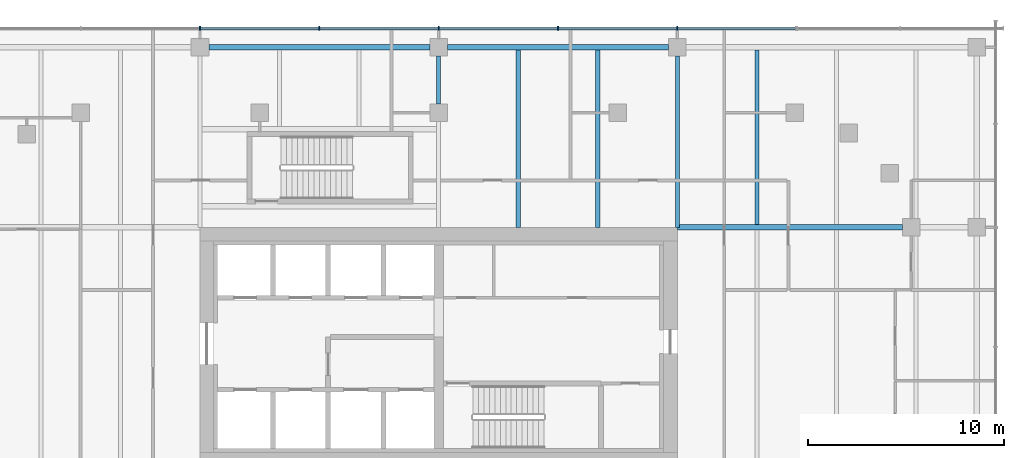
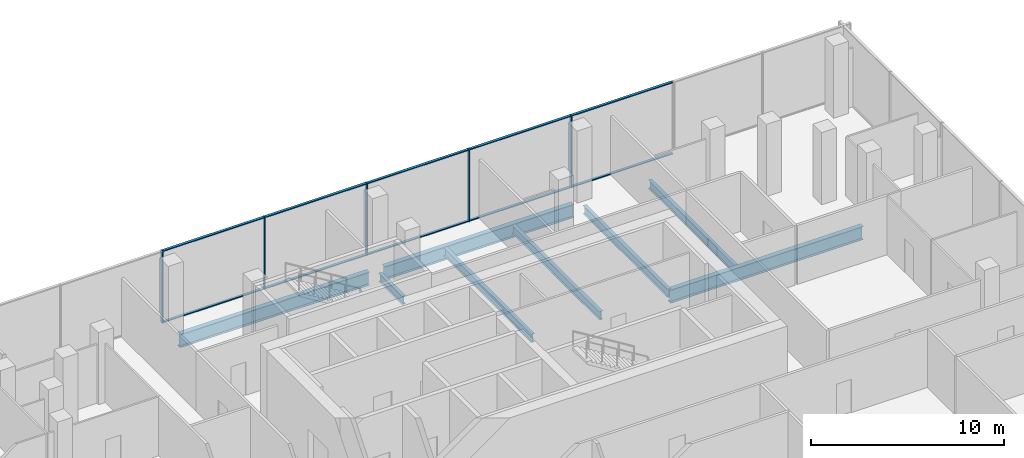
# One storey, part 13 of 33: 15 members, 8 beams, 1 element without a shape of its own.
"""IFC4 building model written with IfcOpenShell, lengths in metres."""

from ifc_helpers import new_model, si_unit, direction, frame, origin, origin_2d, place, context, subcontext, project, spatial, rectangle, i_section, extrude, material, material_profile, profile_set, type_object, element, aggregate, save


model = new_model("IFC4")

# Units and contexts
model_context = context("Model", 3, precision=1e-05, world=origin(), true_north=direction((0.0, 1.0)))
body_context = subcontext(model_context, "Body", "Model", "MODEL_VIEW")
ifc_project = project(units=[si_unit("LENGTHUNIT", "METRE"), si_unit("AREAUNIT", "SQUARE_METRE"), si_unit("VOLUMEUNIT", "CUBIC_METRE"), si_unit("PLANEANGLEUNIT", "RADIAN"), si_unit("MASSUNIT", "GRAM", prefix="KILO")], contexts=[model_context])

# Site, building, storey
site_placement = place(None, origin())
site = spatial("IfcSite", under=ifc_project, at=site_placement, CompositionType="ELEMENT")
building_placement = place(site_placement, origin())
building = spatial("IfcBuilding", under=site, at=building_placement, Name="Tessera Gate Towers", CompositionType="ELEMENT")
storey_placement = place(building_placement, frame((0.0, 0.0, 7.199951171875)))
storey = spatial("IfcBuildingStorey", under=building, at=storey_placement, Name="L01", CompositionType="ELEMENT", Elevation=7.199951171875)

# Beams
ifc_material_1 = material(Name="Steel 350W", Category="steel")
ifc_material_profile_1 = material_profile(ifc_material_1, i_section(OverallWidth=0.2919921875, OverallDepth=0.8349609375, WebThickness=0.013916015625, FlangeThickness=0.018798828125, at=origin_2d()), Name="W840x176")
ifc_profile_set_1 = profile_set([ifc_material_profile_1], Name="Steel 350W")
beam_type_1 = type_object("IfcBeamType", Name="FLOOR GIRDER W840x176", PredefinedType="BEAM", material=ifc_profile_set_1)
beam_1_placement = place(storey_placement, frame((122.0009765625, 48.800048828125, -0.66748046875), z_axis=(1.0, 0.0, 0.0), x_axis=(0.0, 1.0, 0.0)))
element("IfcBeam", 1, at=beam_1_placement, inside=storey, type_object=beam_type_1, Name="PD-GD-L01-225", PredefinedType="BEAM", context=body_context, shape_type="SweptSolid", body=[
    extrude(i_section(OverallWidth=0.2919921875, OverallDepth=0.8349609375, WebThickness=0.013916015625, FlangeThickness=0.018798828125, at=origin_2d()), origin(), (0.0, 0.0, 1.0), 11.4990234375),
])
for number, where, z_axis, x_axis, name in (
    (2, (98.050048828125, 58.0, -0.66748046875), (1.0, 0.0, 0.0), (0.0, 1.0, 0.0), "PD-GD-L01-232"),
    (3, (110.25, 58.0, -0.66748046875), (1.0, 0.0, 0.0), (0.0, 1.0, 0.0), "PD-GD-L01-233"),
):
    element("IfcBeam", number, at=place(storey_placement, frame(where, z_axis=z_axis, x_axis=x_axis)), inside=storey, type_object=beam_type_1, Name=name, PredefinedType="BEAM", context=body_context, shape_type="SweptSolid", body=[
        extrude(i_section(OverallWidth=0.2919921875, OverallDepth=0.8349609375, WebThickness=0.013916015625, FlangeThickness=0.018798828125, at=origin_2d()), origin(), (0.0, 0.0, 1.0), 11.300048828125),
    ])
ifc_material_2 = material(Name="Steel 350W", Category="steel")
ifc_material_profile_2 = material_profile(ifc_material_2, i_section(OverallWidth=0.208984375, OverallDepth=0.528076171875, WebThickness=0.009521484375, FlangeThickness=0.01318359375, at=origin_2d()), Name="W530x82")
ifc_profile_set_2 = profile_set([ifc_material_profile_2], Name="Steel 350W")
beam_type_2 = type_object("IfcBeamType", Name="FLOOR SECONDARY W530x82", PredefinedType="BEAM", material=ifc_profile_set_2)
beam_2_placement = place(storey_placement, frame((109.800048828125, 55.10009765625, -0.513916015625), z_axis=(0.0, 1.0, 0.0), x_axis=(-1.0, 0.0, 0.0)))
element("IfcBeam", 4, at=beam_2_placement, inside=storey, type_object=beam_type_2, Name="PD-BM-L01-337", PredefinedType="BEAM", context=body_context, shape_type="SweptSolid", body=[
    extrude(i_section(OverallWidth=0.208984375, OverallDepth=0.528076171875, WebThickness=0.009521484375, FlangeThickness=0.01318359375, at=origin_2d()), origin(), (0.0, 0.0, 1.0), 2.449951171875),
])
for number, where, z_axis, x_axis, name in (
    (5, (113.86669921875, 48.800048828125, -0.513916015625), (0.0, 1.0, 0.0), (-1.0, 0.0, 0.0), "PD-BM-L01-340"),
    (6, (117.933349609375, 48.800048828125, -0.513916015625), (0.0, 1.0, 0.0), (-1.0, 0.0, 0.0), "PD-BM-L01-343"),
):
    element("IfcBeam", number, at=place(storey_placement, frame(where, z_axis=z_axis, x_axis=x_axis)), inside=storey, type_object=beam_type_2, Name=name, PredefinedType="BEAM", context=body_context, shape_type="SweptSolid", body=[
        extrude(i_section(OverallWidth=0.208984375, OverallDepth=0.528076171875, WebThickness=0.009521484375, FlangeThickness=0.01318359375, at=origin_2d()), origin(), (0.0, 0.0, 1.0), 9.053955078125),
    ])
beam_3_placement = place(storey_placement, frame((122.0, 48.800048828125, -0.513916015625), z_axis=(0.0, 1.0, 0.0), x_axis=(-1.0, 0.0, 0.0)))
element("IfcBeam", 7, at=beam_3_placement, inside=storey, type_object=beam_type_2, Name="PD-BM-L01-344", PredefinedType="BEAM", context=body_context, shape_type="SweptSolid", body=[
    extrude(i_section(OverallWidth=0.208984375, OverallDepth=0.528076171875, WebThickness=0.009521484375, FlangeThickness=0.01318359375, at=origin_2d()), origin(), (0.0, 0.0, 1.0), 8.75),
])
beam_4_placement = place(storey_placement, frame((126.066650390625, 48.946044921875, -0.513916015625), z_axis=(0.0, 1.0, 0.0), x_axis=(-1.0, 0.0, 0.0)))
element("IfcBeam", 8, at=beam_4_placement, inside=storey, type_object=beam_type_2, Name="PD-BM-L01-348", PredefinedType="BEAM", context=body_context, shape_type="SweptSolid", body=[
    extrude(i_section(OverallWidth=0.208984375, OverallDepth=0.528076171875, WebThickness=0.009521484375, FlangeThickness=0.01318359375, at=origin_2d()), origin(), (0.0, 0.0, 1.0), 8.907958984375),
])

# Curtain wall, members
ifc_material_3 = material(Name="Aluminium frame", Category="aluminium")
curtain_wall_type = type_object("IfcCurtainWallType", Name="CW-S1 podium storefront", PredefinedType="NOTDEFINED", material=ifc_material_3)
curtain_wall_placement = place(storey_placement, origin())
curtain_wall = element("IfcCurtainWall", 9, at=curtain_wall_placement, inside=storey, type_object=curtain_wall_type, Name="Curtain wall podium storefront 0192", PredefinedType="NOTDEFINED")
ifc_material_4 = material(Name="Aluminium frame", Category="aluminium")
ifc_material_profile_3 = material_profile(ifc_material_4, rectangle(XDim=0.06005859375, YDim=0.199951171875, at=origin_2d()), Name="AL 60x200")
ifc_profile_set_3 = profile_set([ifc_material_profile_3], Name="Aluminium frame")
member_type_1 = type_object("IfcMemberType", Name="MU-S1 mullion 60x200", PredefinedType="MULLION", material=ifc_profile_set_3)
member_1_placement = place(storey_placement, frame((122.0, 58.97509765625, 0.0), z_axis=(0.0, 0.0, 1.0), x_axis=(-1.0, 0.0, 0.0)))
member_1 = element("IfcMember", 10, at=member_1_placement, type_object=member_type_1, Name="PD-CW1-0192 mullion 2", PredefinedType="MULLION", context=body_context, shape_type="SweptSolid", body=[
    extrude(rectangle(XDim=0.06005859375, YDim=0.199951171875, at=origin_2d()), origin(), (0.0, 0.0, 1.0), 4.550048828125),
])
member_2_placement = place(storey_placement, frame((115.89990234375, 58.97509765625, 0.0), z_axis=(0.0, 0.0, 1.0), x_axis=(-1.0, 0.0, 0.0)))
member_2 = element("IfcMember", 11, at=member_2_placement, type_object=member_type_1, Name="PD-CW1-0192 mullion 3", PredefinedType="MULLION", context=body_context, shape_type="SweptSolid", body=[
    extrude(rectangle(XDim=0.06005859375, YDim=0.199951171875, at=origin_2d()), origin(), (0.0, 0.0, 1.0), 4.550048828125),
])
member_3_placement = place(storey_placement, frame((109.800048828125, 58.97509765625, 0.0), z_axis=(0.0, 0.0, 1.0), x_axis=(-1.0, 0.0, 0.0)))
member_3 = element("IfcMember", 12, at=member_3_placement, type_object=member_type_1, Name="PD-CW1-0192 mullion 4", PredefinedType="MULLION", context=body_context, shape_type="SweptSolid", body=[
    extrude(rectangle(XDim=0.06005859375, YDim=0.199951171875, at=origin_2d()), origin(), (0.0, 0.0, 1.0), 4.550048828125),
])
member_4_placement = place(storey_placement, frame((103.699951171875, 58.97509765625, 0.0), z_axis=(0.0, 0.0, 1.0), x_axis=(-1.0, 0.0, 0.0)))
member_4 = element("IfcMember", 13, at=member_4_placement, type_object=member_type_1, Name="PD-CW1-0192 mullion 5", PredefinedType="MULLION", context=body_context, shape_type="SweptSolid", body=[
    extrude(rectangle(XDim=0.06005859375, YDim=0.199951171875, at=origin_2d()), origin(), (0.0, 0.0, 1.0), 4.550048828125),
])
member_5_placement = place(storey_placement, frame((97.60009765625, 58.97509765625, 0.0), z_axis=(0.0, 0.0, 1.0), x_axis=(-1.0, 0.0, 0.0)))
member_5 = element("IfcMember", 14, at=member_5_placement, type_object=member_type_1, Name="PD-CW1-0192 mullion 6", PredefinedType="MULLION", context=body_context, shape_type="SweptSolid", body=[
    extrude(rectangle(XDim=0.06005859375, YDim=0.199951171875, at=origin_2d()), origin(), (0.0, 0.0, 1.0), 4.550048828125),
])
ifc_material_5 = material(Name="Aluminium frame", Category="aluminium")
ifc_material_profile_4 = material_profile(ifc_material_5, rectangle(XDim=0.14990234375, YDim=0.06005859375, at=origin_2d()), Name="AL 60x150")
ifc_profile_set_4 = profile_set([ifc_material_profile_4], Name="Aluminium frame")
member_type_2 = type_object("IfcMemberType", Name="TR-S1 transom 60x150", PredefinedType="USERDEFINED", material=ifc_profile_set_4)
member_6_placement = place(storey_placement, frame((128.0400390625, 58.97509765625, 0.030029296875), z_axis=(-1.0, 0.0, 0.0), x_axis=(0.0, -1.0, 0.0)))
member_6 = element("IfcMember", 15, at=member_6_placement, type_object=member_type_2, Name="PD-CW1-0192 transom 1.1", ObjectType="TRANSOM", PredefinedType="USERDEFINED", context=body_context, shape_type="SweptSolid", body=[
    extrude(rectangle(XDim=0.14990234375, YDim=0.06005859375, at=origin_2d()), origin(), (0.0, 0.0, 1.0), 6.010009765625),
])
member_7_placement = place(storey_placement, frame((128.0400390625, 58.97509765625, 4.52001953125), z_axis=(-1.0, 0.0, 0.0), x_axis=(0.0, -1.0, 0.0)))
member_7 = element("IfcMember", 16, at=member_7_placement, type_object=member_type_2, Name="PD-CW1-0192 transom 1.2", ObjectType="TRANSOM", PredefinedType="USERDEFINED", context=body_context, shape_type="SweptSolid", body=[
    extrude(rectangle(XDim=0.14990234375, YDim=0.06005859375, at=origin_2d()), origin(), (0.0, 0.0, 1.0), 6.010009765625),
])
member_8_placement = place(storey_placement, frame((121.969970703125, 58.97509765625, 0.030029296875), z_axis=(-1.0, 0.0, 0.0), x_axis=(0.0, -1.0, 0.0)))
member_8 = element("IfcMember", 17, at=member_8_placement, type_object=member_type_2, Name="PD-CW1-0192 transom 2.1", ObjectType="TRANSOM", PredefinedType="USERDEFINED", context=body_context, shape_type="SweptSolid", body=[
    extrude(rectangle(XDim=0.14990234375, YDim=0.06005859375, at=origin_2d()), origin(), (0.0, 0.0, 1.0), 6.0400390625),
])
member_9_placement = place(storey_placement, frame((121.969970703125, 58.97509765625, 4.52001953125), z_axis=(-1.0, 0.0, 0.0), x_axis=(0.0, -1.0, 0.0)))
member_9 = element("IfcMember", 18, at=member_9_placement, type_object=member_type_2, Name="PD-CW1-0192 transom 2.2", ObjectType="TRANSOM", PredefinedType="USERDEFINED", context=body_context, shape_type="SweptSolid", body=[
    extrude(rectangle(XDim=0.14990234375, YDim=0.06005859375, at=origin_2d()), origin(), (0.0, 0.0, 1.0), 6.0400390625),
])
member_10_placement = place(storey_placement, frame((115.8701171875, 58.97509765625, 0.030029296875), z_axis=(-1.0, 0.0, 0.0), x_axis=(0.0, -1.0, 0.0)))
member_10 = element("IfcMember", 19, at=member_10_placement, type_object=member_type_2, Name="PD-CW1-0192 transom 3.1", ObjectType="TRANSOM", PredefinedType="USERDEFINED", context=body_context, shape_type="SweptSolid", body=[
    extrude(rectangle(XDim=0.14990234375, YDim=0.06005859375, at=origin_2d()), origin(), (0.0, 0.0, 1.0), 6.0400390625),
])
member_11_placement = place(storey_placement, frame((115.8701171875, 58.97509765625, 4.52001953125), z_axis=(-1.0, 0.0, 0.0), x_axis=(0.0, -1.0, 0.0)))
member_11 = element("IfcMember", 20, at=member_11_placement, type_object=member_type_2, Name="PD-CW1-0192 transom 3.2", ObjectType="TRANSOM", PredefinedType="USERDEFINED", context=body_context, shape_type="SweptSolid", body=[
    extrude(rectangle(XDim=0.14990234375, YDim=0.06005859375, at=origin_2d()), origin(), (0.0, 0.0, 1.0), 6.0400390625),
])
member_12_placement = place(storey_placement, frame((109.77001953125, 58.97509765625, 0.030029296875), z_axis=(-1.0, 0.0, 0.0), x_axis=(0.0, -1.0, 0.0)))
member_12 = element("IfcMember", 21, at=member_12_placement, type_object=member_type_2, Name="PD-CW1-0192 transom 4.1", ObjectType="TRANSOM", PredefinedType="USERDEFINED", context=body_context, shape_type="SweptSolid", body=[
    extrude(rectangle(XDim=0.14990234375, YDim=0.06005859375, at=origin_2d()), origin(), (0.0, 0.0, 1.0), 6.0400390625),
])
member_13_placement = place(storey_placement, frame((109.77001953125, 58.97509765625, 4.52001953125), z_axis=(-1.0, 0.0, 0.0), x_axis=(0.0, -1.0, 0.0)))
member_13 = element("IfcMember", 22, at=member_13_placement, type_object=member_type_2, Name="PD-CW1-0192 transom 4.2", ObjectType="TRANSOM", PredefinedType="USERDEFINED", context=body_context, shape_type="SweptSolid", body=[
    extrude(rectangle(XDim=0.14990234375, YDim=0.06005859375, at=origin_2d()), origin(), (0.0, 0.0, 1.0), 6.0400390625),
])
member_14_placement = place(storey_placement, frame((103.669921875, 58.97509765625, 0.030029296875), z_axis=(-1.0, 0.0, 0.0), x_axis=(0.0, -1.0, 0.0)))
member_14 = element("IfcMember", 23, at=member_14_placement, type_object=member_type_2, Name="PD-CW1-0192 transom 5.1", ObjectType="TRANSOM", PredefinedType="USERDEFINED", context=body_context, shape_type="SweptSolid", body=[
    extrude(rectangle(XDim=0.14990234375, YDim=0.06005859375, at=origin_2d()), origin(), (0.0, 0.0, 1.0), 6.0400390625),
])
member_15_placement = place(storey_placement, frame((103.669921875, 58.97509765625, 4.52001953125), z_axis=(-1.0, 0.0, 0.0), x_axis=(0.0, -1.0, 0.0)))
member_15 = element("IfcMember", 24, at=member_15_placement, type_object=member_type_2, Name="PD-CW1-0192 transom 5.2", ObjectType="TRANSOM", PredefinedType="USERDEFINED", context=body_context, shape_type="SweptSolid", body=[
    extrude(rectangle(XDim=0.14990234375, YDim=0.06005859375, at=origin_2d()), origin(), (0.0, 0.0, 1.0), 6.0400390625),
])
aggregate(curtain_wall, [member_1, member_2, member_3, member_4, member_5, member_6, member_7, member_8, member_9, member_10, member_11, member_12, member_13, member_14, member_15])

save(model, "model.ifc")
